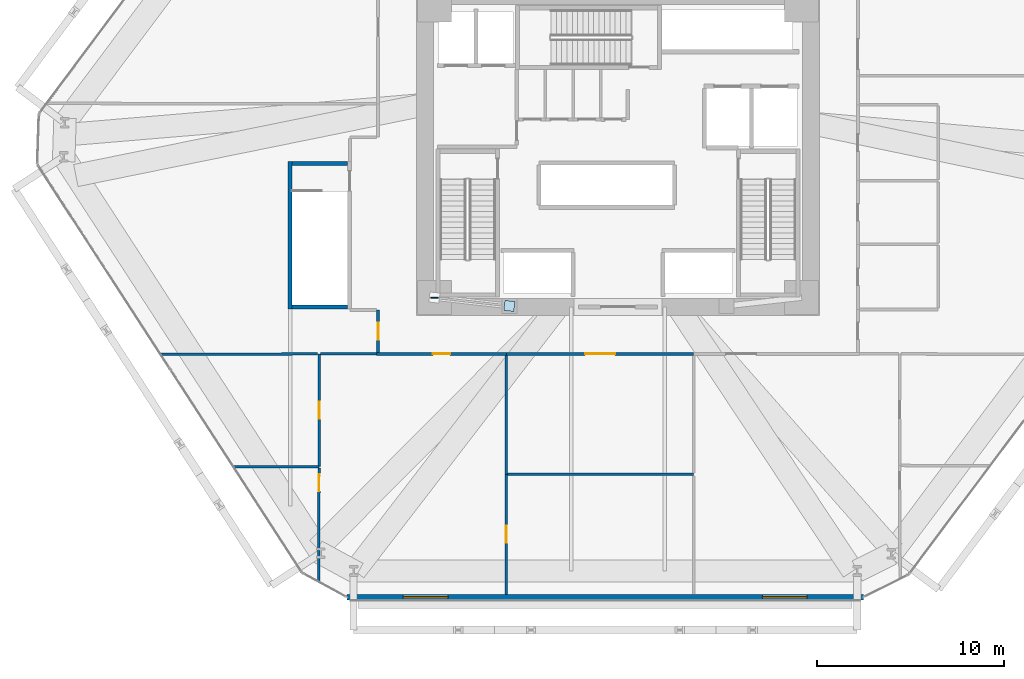
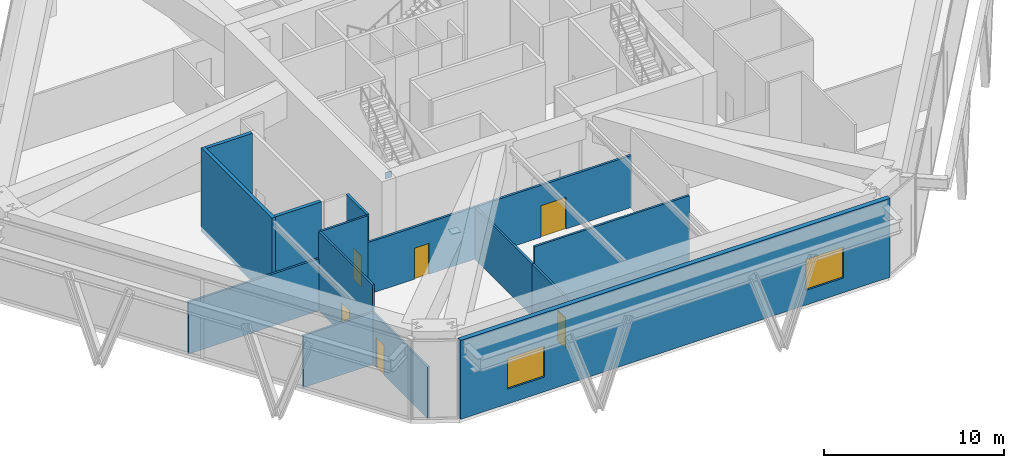
# One storey, part 13 of 19: 15 walls, 6 doors, 2 plates, 2 windows, 8 openings.
"""IFC4 building model written with IfcOpenShell, lengths in metres."""

from ifc_helpers import new_model, si_unit, direction, frame, frame_2d, origin, origin_2d, place, context, subcontext, project, spatial, rectangle, extrude, source, transform, mapped, material, layer, layer_set, type_object, type_shapes, element, fill, save


model = new_model("IFC4")

# Units and contexts
model_context = context("Model", 3, precision=1e-05, world=origin(), true_north=direction((0.0, 1.0)))
body_context = subcontext(model_context, "Body", "Model", "MODEL_VIEW")
ifc_project = project(units=[si_unit("LENGTHUNIT", "METRE"), si_unit("AREAUNIT", "SQUARE_METRE"), si_unit("VOLUMEUNIT", "CUBIC_METRE"), si_unit("PLANEANGLEUNIT", "RADIAN"), si_unit("MASSUNIT", "GRAM", prefix="KILO")], contexts=[model_context])

# Site, building, storey
site_placement = place(None, origin())
site = spatial("IfcSite", under=ifc_project, at=site_placement, CompositionType="ELEMENT")
building_placement = place(site_placement, origin())
building = spatial("IfcBuilding", under=site, at=building_placement, Name="Durnholm Broadcast Tower", CompositionType="ELEMENT")
storey_placement = place(building_placement, frame((0.0, 0.0, 26.800048828125)))
storey = spatial("IfcBuildingStorey", under=building, at=storey_placement, Name="L05", CompositionType="ELEMENT", Elevation=26.800048828125)

# Plates
ifc_material_1 = material(Name="Steel ASTM A572 Grade 50", Category="steel")
ifc_layer_1 = layer(ifc_material_1, 0.044921875)
ifc_layer_set_1 = layer_set([ifc_layer_1], Name="Steel ASTM A572 Grade 50")
plate_type_1 = type_object("IfcPlateType", Name="PLT-KN-STIF", PredefinedType="SHEET", material=ifc_layer_set_1)
shared_shape_1 = source(origin(), body_context, "Body", "SweptSolid", [
    extrude(rectangle(XDim=0.419921875, YDim=0.050048828125, at=origin_2d()), origin(), (0.0, 0.0, 1.0), 0.419921875),
])
type_shapes(plate_type_1, [shared_shape_1])
plate_1_placement = place(storey_placement, frame((-9.800048828125, -7.800048828125, 4.981201171875), z_axis=(0.0, 0.0, 1.0), x_axis=(1.0, 0.0, 0.0)))
element("IfcPlate", 1, at=plate_1_placement, inside=storey, type_object=plate_type_1, Name="L05 gallery stringer brace core wall cast-in plate", ObjectType="GUSSET_PLATE", PredefinedType="USERDEFINED", context=body_context, shape_type="MappedRepresentation", body=[
    mapped(shared_shape_1, transform((0.0, 0.0, 0.0), x_axis=(1.0, 0.0, 0.0), y_axis=(0.0, 1.0, 0.0), z_axis=(0.0, 0.0, 1.0), scale=1.0)),
])
ifc_layer_2 = layer(ifc_material_1, 0.0400390625)
ifc_layer_set_2 = layer_set([ifc_layer_2], Name="Steel ASTM A572 Grade 50")
plate_type_2 = type_object("IfcPlateType", Name="PLT-KN-CAP", PredefinedType="USERDEFINED", material=ifc_layer_set_2)
shared_shape_2 = source(origin(), body_context, "Body", "SweptSolid", [
    extrude(rectangle(XDim=0.5400390625, YDim=0.5400390625, at=origin_2d()), origin(), (0.0, 0.0, 1.0), 0.0400390625),
])
type_shapes(plate_type_2, [shared_shape_2])
plate_2_placement = place(storey_placement, frame((-5.800048828125, -8.25, 0.22998046875), z_axis=(0.0, 0.0, 1.0), x_axis=(-0.99372894862, 0.111815815852, 0.0)))
element("IfcPlate", 2, at=plate_2_placement, inside=storey, type_object=plate_type_2, Name="L05 hollow section end cap plate STL-STG-L05-1 1", ObjectType="CAP_PLATE", PredefinedType="USERDEFINED", context=body_context, shape_type="MappedRepresentation", body=[
    mapped(shared_shape_2, transform((0.0, 0.0, 0.0), x_axis=(1.0, 0.0, 0.0), y_axis=(0.0, 1.0, 0.0), z_axis=(0.0, 0.0, 1.0), scale=1.0)),
])

# Wall, openings, windows
ifc_material_2 = material(Name="Precast Concrete C45/55", Category="concrete")
ifc_layer_3 = layer(ifc_material_2, 0.300048828125)
ifc_layer_set_3 = layer_set([ifc_layer_3], Name="Precast Concrete C45/55")
wall_type_1 = type_object("IfcWallType", Name="WALL-EXT-300", PredefinedType="SOLIDWALL", material=ifc_layer_set_3)
wall_1_placement = place(storey_placement, frame((13.102783203125, -23.800048828125, 0.0), z_axis=(0.0, 0.0, 1.0), x_axis=(-1.0, 0.0, 0.0)))
wall_1 = element("IfcWall", 3, at=wall_1_placement, inside=storey, type_object=wall_type_1, Name="L05 broadcast studio acoustic facade wall 10", PredefinedType="SOLIDWALL", context=body_context, shape_type="SweptSolid", body=[
    extrude(rectangle(XDim=27.577880859375, YDim=0.300048828125, at=frame_2d((13.7890625, 0.0))), origin(), (0.0, 0.0, 1.0), 5.35986328125),
])
opening_1_placement = place(wall_1_placement, frame((3.0, 0.0, 1.0)))
opening_1 = element("IfcOpeningElement", 4, at=opening_1_placement, cuts=wall_1, Name="Opening W1", PredefinedType="OPENING", context=body_context, shape_type="SweptSolid", body=[
    extrude(rectangle(XDim=2.39990234375, YDim=2.10009765625, at=frame_2d((1.199951171875, 1.050048828125))), frame((0.0, 0.16015625, 0.0), z_axis=(0.0, -1.0, 0.0), x_axis=(1.0, 0.0, 0.0)), (0.0, 0.0, 1.0), 0.320068359375),
])
opening_2_placement = place(wall_1_placement, frame((22.177978515625, 0.0, 1.0)))
opening_2 = element("IfcOpeningElement", 5, at=opening_2_placement, cuts=wall_1, Name="Opening W1", PredefinedType="OPENING", context=body_context, shape_type="SweptSolid", body=[
    extrude(rectangle(XDim=2.39990234375, YDim=2.10009765625, at=frame_2d((1.199951171875, 1.050048828125))), frame((0.0, 0.16015625, 0.0), z_axis=(0.0, -1.0, 0.0), x_axis=(1.0, 0.0, 0.0)), (0.0, 0.0, 1.0), 0.320068359375),
])
ifc_material_3 = material(Name="Thermally Broken Aluminium and Laminated Glass", Category="aluminium")
ifc_layer_4 = layer(ifc_material_3, 0.06005859375)
ifc_layer_set_4 = layer_set([ifc_layer_4], Name="Thermally Broken Aluminium and Laminated Glass")
window_type = type_object("IfcWindowType", Name="WIN-W1", PartitioningType="SINGLE_PANEL", PredefinedType="WINDOW", material=ifc_layer_set_4)
shared_shape_3 = source(origin(), body_context, "Body", "SweptSolid", [
    extrude(rectangle(XDim=2.39990234375, YDim=2.10009765625, at=frame_2d((1.199951171875, 1.050048828125))), frame((0.0, 0.030029296875, 0.0), z_axis=(0.0, -1.0, 0.0), x_axis=(1.0, 0.0, 0.0)), (0.0, 0.0, 1.0), 0.06005859375),
])
type_shapes(window_type, [shared_shape_3])
window_1_placement = place(opening_1_placement, origin())
window_1 = element("IfcWindow", 6, at=window_1_placement, inside=storey, type_object=window_type, Name="L05 studio acoustic window 10.1", OverallHeight=2.10009765625, OverallWidth=2.39990234375, PartitioningType="SINGLE_PANEL", PredefinedType="WINDOW", context=body_context, shape_type="MappedRepresentation", body=[
    mapped(shared_shape_3, transform((0.0, 0.0, 0.0), x_axis=(1.0, 0.0, 0.0), y_axis=(0.0, 1.0, 0.0), z_axis=(0.0, 0.0, 1.0), scale=1.0)),
])
fill(opening_1, window_1)
window_2_placement = place(opening_2_placement, origin())
window_2 = element("IfcWindow", 7, at=window_2_placement, inside=storey, type_object=window_type, Name="L05 studio acoustic window 10.2", OverallHeight=2.10009765625, OverallWidth=2.39990234375, PartitioningType="SINGLE_PANEL", PredefinedType="WINDOW", context=body_context, shape_type="MappedRepresentation", body=[
    mapped(shared_shape_3, transform((0.0, 0.0, 0.0), x_axis=(1.0, 0.0, 0.0), y_axis=(0.0, 1.0, 0.0), z_axis=(0.0, 0.0, 1.0), scale=1.0)),
])
fill(opening_2, window_2)

# Wall
ifc_material_4 = material(Name="Gypsum Metal Stud Partition", Category="concrete")
ifc_layer_5 = layer(ifc_material_4, 0.135009765625)
ifc_layer_set_5 = layer_set([ifc_layer_5], Name="Gypsum Metal Stud Partition")
wall_type_2 = type_object("IfcWallType", Name="WALL-PART-135", PredefinedType="PARTITIONING", material=ifc_layer_set_5)
wall_2_placement = place(storey_placement, frame((-20.520751953125, -16.8466796875, 0.0), z_axis=(0.0, 0.0, 1.0), x_axis=(0.999988651398, 0.004764144852, 0.0)))
element("IfcWall", 8, at=wall_2_placement, inside=storey, type_object=wall_type_2, Name="L05 room dividing partition 11.12", PredefinedType="PARTITIONING", context=body_context, shape_type="SweptSolid", body=[
    extrude(rectangle(XDim=4.560791015625, YDim=0.135009765625, at=frame_2d((2.2802734375, 0.0))), origin(), (0.0, 0.0, 1.0), 3.530029296875),
])

# Wall, opening, door
wall_3_placement = place(storey_placement, frame((-15.960205078125, -16.896484375, 0.0), z_axis=(0.0, 0.0, 1.0), x_axis=(-0.003088633483, -0.99999523016, 0.0)))
wall_3 = element("IfcWall", 9, at=wall_3_placement, inside=storey, type_object=wall_type_2, Name="L05 room dividing partition 11.13", PredefinedType="PARTITIONING", context=body_context, shape_type="SweptSolid", body=[
    extrude(rectangle(XDim=6.08642578125, YDim=0.135009765625, at=frame_2d((3.043212890625, 0.0))), origin(), (0.0, 0.0, 1.0), 3.530029296875),
])
opening_3_placement = place(wall_3_placement, frame((0.35009765625, 0.0, 0.0)))
opening_3 = element("IfcOpeningElement", 10, at=opening_3_placement, cuts=wall_3, Name="Opening DW-90L", PredefinedType="OPENING", context=body_context, shape_type="SweptSolid", body=[
    extrude(rectangle(XDim=0.89990234375, YDim=2.050048828125, at=frame_2d((0.449951171875, 1.02490234375))), frame((0.0, 0.07763671875, 0.0), z_axis=(0.0, -1.0, 0.0), x_axis=(1.0, 0.0, 0.0)), (0.0, 0.0, 1.0), 0.155029296875),
])
ifc_material_5 = material(Name="Laminate Restroom Door", Category="steel")
ifc_layer_6 = layer(ifc_material_5, 0.050048828125)
ifc_layer_set_6 = layer_set([ifc_layer_6], Name="Laminate Restroom Door")
door_type_1 = type_object("IfcDoorType", Name="DOOR-WC-900L", OperationType="NOTDEFINED", PredefinedType="DOOR", material=ifc_layer_set_6)
shared_shape_4 = source(origin(), body_context, "Body", "SweptSolid", [
    extrude(rectangle(XDim=0.89990234375, YDim=2.050048828125, at=frame_2d((0.449951171875, 1.02490234375))), frame((0.0, 0.02490234375, 0.0), z_axis=(0.0, -1.0, 0.0), x_axis=(1.0, 0.0, 0.0)), (0.0, 0.0, 1.0), 0.050048828125),
])
type_shapes(door_type_1, [shared_shape_4])
door_1_placement = place(opening_3_placement, origin())
door_1 = element("IfcDoor", 11, at=door_1_placement, inside=storey, type_object=door_type_1, Name="L05 Hospitality Dining Room connecting door", OperationType="SINGLE_SWING_LEFT", OverallHeight=2.050048828125, OverallWidth=0.89990234375, PredefinedType="DOOR", context=body_context, shape_type="MappedRepresentation", body=[
    mapped(shared_shape_4, transform((0.0, 0.0, 0.0), x_axis=(1.0, 0.0, 0.0), y_axis=(0.0, 1.0, 0.0), z_axis=(0.0, 0.0, 1.0), scale=1.0)),
])
fill(opening_3, door_1)

wall_4_placement = place(storey_placement, frame((-15.9599609375, -10.81005859375, 0.0), z_axis=(0.0, 0.0, 1.0), x_axis=(0.0, -1.0, 0.0)))
wall_4 = element("IfcWall", 12, at=wall_4_placement, inside=storey, type_object=wall_type_2, Name="L05 room dividing partition 12.13", PredefinedType="PARTITIONING", context=body_context, shape_type="SweptSolid", body=[
    extrude(rectangle(XDim=6.014892578125, YDim=0.135009765625, at=frame_2d((3.00732421875, 0.0))), origin(), (0.0, 0.0, 1.0), 5.344970703125),
])
opening_4_placement = place(wall_4_placement, frame((2.5576171875, 0.0, 0.0)))
opening_4 = element("IfcOpeningElement", 13, at=opening_4_placement, cuts=wall_4, Name="Opening DW-90L", PredefinedType="OPENING", context=body_context, shape_type="SweptSolid", body=[
    extrude(rectangle(XDim=0.89990234375, YDim=2.050048828125, at=frame_2d((0.449951171875, 1.02490234375))), frame((0.0, 0.07763671875, 0.0), z_axis=(0.0, -1.0, 0.0), x_axis=(1.0, 0.0, 0.0)), (0.0, 0.0, 1.0), 0.155029296875),
])
door_2_placement = place(opening_4_placement, origin())
door_2 = element("IfcDoor", 14, at=door_2_placement, inside=storey, type_object=door_type_1, Name="L05 Catering Prep Kitchen connecting door", OperationType="SINGLE_SWING_LEFT", OverallHeight=2.050048828125, OverallWidth=0.89990234375, PredefinedType="DOOR", context=body_context, shape_type="MappedRepresentation", body=[
    mapped(shared_shape_4, transform((0.0, 0.0, 0.0), x_axis=(1.0, 0.0, 0.0), y_axis=(0.0, 1.0, 0.0), z_axis=(0.0, 0.0, 1.0), scale=1.0)),
])
fill(opening_4, door_2)

# Wall
wall_5_placement = place(storey_placement, frame((-24.421630859375, -10.831787109375, 0.0), z_axis=(0.0, 0.0, 1.0), x_axis=(0.9999967215, 0.002560662035, 0.0)))
element("IfcWall", 15, at=wall_5_placement, inside=storey, type_object=wall_type_2, Name="L05 room dividing partition 12.19", PredefinedType="PARTITIONING", context=body_context, shape_type="SweptSolid", body=[
    extrude(rectangle(XDim=8.39013671875, YDim=0.135009765625, at=frame_2d((4.195068359375, 0.0))), origin(), (0.0, 0.0, 1.0), 3.530029296875),
])

# Wall, opening, door
wall_6_placement = place(storey_placement, frame((-5.9599609375, -17.2451171875, 0.0), z_axis=(0.0, 0.0, 1.0), x_axis=(0.0, -1.0, 0.0)))
wall_6 = element("IfcWall", 16, at=wall_6_placement, inside=storey, type_object=wall_type_2, Name="L05 room dividing partition 13.14", PredefinedType="PARTITIONING", context=body_context, shape_type="SweptSolid", body=[
    extrude(rectangle(XDim=6.39990234375, YDim=0.135009765625, at=frame_2d((3.199951171875, 0.0))), origin(), (0.0, 0.0, 1.0), 3.530029296875),
])
opening_5_placement = place(wall_6_placement, frame((2.75, 0.0, 0.0)))
opening_5 = element("IfcOpeningElement", 17, at=opening_5_placement, cuts=wall_6, Name="Opening DW-90L", PredefinedType="OPENING", context=body_context, shape_type="SweptSolid", body=[
    extrude(rectangle(XDim=0.89990234375, YDim=2.050048828125, at=frame_2d((0.449951171875, 1.02490234375))), frame((0.0, 0.07763671875, 0.0), z_axis=(0.0, -1.0, 0.0), x_axis=(1.0, 0.0, 0.0)), (0.0, 0.0, 1.0), 0.155029296875),
])
door_3_placement = place(opening_5_placement, origin())
door_3 = element("IfcDoor", 18, at=door_3_placement, inside=storey, type_object=door_type_1, Name="L05 Acoustic Archive Store connecting door", OperationType="SINGLE_SWING_LEFT", OverallHeight=2.050048828125, OverallWidth=0.89990234375, PredefinedType="DOOR", context=body_context, shape_type="MappedRepresentation", body=[
    mapped(shared_shape_4, transform((0.0, 0.0, 0.0), x_axis=(1.0, 0.0, 0.0), y_axis=(0.0, 1.0, 0.0), z_axis=(0.0, 0.0, 1.0), scale=1.0)),
])
fill(opening_5, door_3)

# Walls
wall_7_placement = place(storey_placement, frame((-5.9599609375, -10.888916015625, 0.0), z_axis=(0.0, 0.0, 1.0), x_axis=(0.0, -1.0, 0.0)))
element("IfcWall", 19, at=wall_7_placement, inside=storey, type_object=wall_type_2, Name="L05 room dividing partition 13.15", PredefinedType="PARTITIONING", context=body_context, shape_type="SweptSolid", body=[
    extrude(rectangle(XDim=6.356201171875, YDim=0.135009765625, at=frame_2d((3.17822265625, 0.0))), origin(), (0.0, 0.0, 1.0), 3.530029296875),
])
wall_8_placement = place(storey_placement, frame((-15.888427734375, -10.81005859375, 0.0), z_axis=(0.0, 0.0, 1.0), x_axis=(1.0, 0.0, 0.0)))
element("IfcWall", 20, at=wall_8_placement, inside=storey, type_object=wall_type_2, Name="L05 room dividing partition 13.19", PredefinedType="PARTITIONING", context=body_context, shape_type="SweptSolid", body=[
    extrude(rectangle(XDim=2.99853515625, YDim=0.135009765625, at=frame_2d((1.499267578125, 0.0))), origin(), (0.0, 0.0, 1.0), 5.344970703125),
])
wall_9_placement = place(storey_placement, frame((-5.888427734375, -17.2451171875, 0.0), z_axis=(0.0, 0.0, 1.0), x_axis=(1.0, 0.0, 0.0)))
element("IfcWall", 21, at=wall_9_placement, inside=storey, type_object=wall_type_2, Name="L05 room dividing partition 14.15", PredefinedType="PARTITIONING", context=body_context, shape_type="SweptSolid", body=[
    extrude(rectangle(XDim=9.928466796875, YDim=0.135009765625, at=frame_2d((4.96435546875, 0.0))), origin(), (0.0, 0.0, 1.0), 4.692626953125),
])

# Wall, opening, door
ifc_material_6 = material(Name="Acoustic Gypsum Stud Partition", Category="concrete")
ifc_layer_7 = layer(ifc_material_6, 0.14990234375)
ifc_layer_set_7 = layer_set([ifc_layer_7], Name="Acoustic Gypsum Stud Partition")
wall_type_3 = type_object("IfcWallType", Name="WALL-PART-150", PredefinedType="PARTITIONING", material=ifc_layer_set_7)
wall_10_placement = place(storey_placement, frame((-12.889892578125, -10.81005859375, 0.0), z_axis=(0.0, 0.0, 1.0), x_axis=(1.0, 0.0, 0.0)))
wall_10 = element("IfcWall", 22, at=wall_10_placement, inside=storey, type_object=wall_type_3, Name="L05 Stage Manager Office corridor partition", PredefinedType="PARTITIONING", context=body_context, shape_type="SweptSolid", body=[
    extrude(rectangle(XDim=6.929931640625, YDim=0.14990234375, at=frame_2d((3.46484375, 0.0))), origin(), (0.0, 0.0, 1.0), 3.530029296875),
])
opening_6_placement = place(wall_10_placement, frame((3.0048828125, 0.0, 0.0)))
opening_6 = element("IfcOpeningElement", 23, at=opening_6_placement, cuts=wall_10, Name="Opening DR-92L", PredefinedType="OPENING", context=body_context, shape_type="SweptSolid", body=[
    extrude(rectangle(XDim=0.919921875, YDim=2.10009765625, at=frame_2d((0.4599609375, 1.050048828125))), frame((0.0, 0.0849609375, 0.0), z_axis=(0.0, -1.0, 0.0), x_axis=(1.0, 0.0, 0.0)), (0.0, 0.0, 1.0), 0.169921875),
])
ifc_material_7 = material(Name="Oak Veneer Office Door", Category="wood")
ifc_layer_8 = layer(ifc_material_7, 0.050048828125)
ifc_layer_set_8 = layer_set([ifc_layer_8], Name="Oak Veneer Office Door")
door_type_2 = type_object("IfcDoorType", Name="DOOR-RM-920L", OperationType="NOTDEFINED", PredefinedType="DOOR", material=ifc_layer_set_8)
shared_shape_5 = source(origin(), body_context, "Body", "SweptSolid", [
    extrude(rectangle(XDim=0.919921875, YDim=2.10009765625, at=frame_2d((0.4599609375, 1.050048828125))), frame((0.0, 0.02490234375, 0.0), z_axis=(0.0, -1.0, 0.0), x_axis=(1.0, 0.0, 0.0)), (0.0, 0.0, 1.0), 0.050048828125),
])
type_shapes(door_type_2, [shared_shape_5])
door_4_placement = place(opening_6_placement, origin())
door_4 = element("IfcDoor", 24, at=door_4_placement, inside=storey, type_object=door_type_2, Name="L05 Stage Manager Office entrance door", OperationType="SINGLE_SWING_LEFT", OverallHeight=2.10009765625, OverallWidth=0.919921875, PredefinedType="DOOR", context=body_context, shape_type="MappedRepresentation", body=[
    mapped(shared_shape_5, transform((0.0, 0.0, 0.0), x_axis=(1.0, 0.0, 0.0), y_axis=(0.0, 1.0, 0.0), z_axis=(0.0, 0.0, 1.0), scale=1.0)),
])
fill(opening_6, door_4)

wall_11_placement = place(storey_placement, frame((-5.9599609375, -10.81005859375, 0.0), z_axis=(0.0, 0.0, 1.0), x_axis=(1.0, 0.0, 0.0)))
wall_11 = element("IfcWall", 25, at=wall_11_placement, inside=storey, type_object=wall_type_3, Name="L05 Press Screening Auditorium corridor partition", PredefinedType="PARTITIONING", context=body_context, shape_type="SweptSolid", body=[
    extrude(rectangle(XDim=10.0, YDim=0.14990234375, at=frame_2d((5.0, 0.0))), origin(), (0.0, 0.0, 1.0), 3.530029296875),
])
opening_7_placement = place(wall_11_placement, frame((4.199951171875, 0.0, 0.0)))
opening_7 = element("IfcOpeningElement", 26, at=opening_7_placement, cuts=wall_11, Name="Opening DST-160", PredefinedType="OPENING", context=body_context, shape_type="SweptSolid", body=[
    extrude(rectangle(XDim=1.60009765625, YDim=2.14990234375, at=frame_2d((0.800048828125, 1.074951171875))), frame((0.0, 0.0849609375, 0.0), z_axis=(0.0, -1.0, 0.0), x_axis=(1.0, 0.0, 0.0)), (0.0, 0.0, 1.0), 0.169921875),
])
ifc_material_8 = material(Name="Acoustic Broadcast Studio Sound-Lock Door", Category="steel")
ifc_layer_9 = layer(ifc_material_8, 0.050048828125)
ifc_layer_set_9 = layer_set([ifc_layer_9], Name="Acoustic Broadcast Studio Sound-Lock Door")
door_type_3 = type_object("IfcDoorType", Name="DOOR-STU-1600", OperationType="DOUBLE_DOOR_SINGLE_SWING", PredefinedType="DOOR", material=ifc_layer_set_9)
shared_shape_6 = source(origin(), body_context, "Body", "SweptSolid", [
    extrude(rectangle(XDim=1.60009765625, YDim=2.14990234375, at=frame_2d((0.800048828125, 1.074951171875))), frame((0.0, 0.02490234375, 0.0), z_axis=(0.0, -1.0, 0.0), x_axis=(1.0, 0.0, 0.0)), (0.0, 0.0, 1.0), 0.050048828125),
])
type_shapes(door_type_3, [shared_shape_6])
door_5_placement = place(opening_7_placement, origin())
door_5 = element("IfcDoor", 27, at=door_5_placement, inside=storey, type_object=door_type_3, Name="L05 Press Screening Auditorium entrance door", OperationType="DOUBLE_DOOR_SINGLE_SWING", OverallHeight=2.14990234375, OverallWidth=1.60009765625, PredefinedType="DOOR", context=body_context, shape_type="MappedRepresentation", body=[
    mapped(shared_shape_6, transform((0.0, 0.0, 0.0), x_axis=(1.0, 0.0, 0.0), y_axis=(0.0, 1.0, 0.0), z_axis=(0.0, 0.0, 1.0), scale=1.0)),
])
fill(opening_7, door_5)

wall_12_placement = place(storey_placement, frame((-12.81005859375, -8.4599609375, 0.0), z_axis=(0.0, 0.0, 1.0), x_axis=(0.0, -1.0, 0.0)))
wall_12 = element("IfcWall", 28, at=wall_12_placement, inside=storey, type_object=wall_type_3, Name="L05 Catering Prep Kitchen corridor partition", PredefinedType="PARTITIONING", context=body_context, shape_type="SweptSolid", body=[
    extrude(rectangle(XDim=2.27099609375, YDim=0.14990234375, at=frame_2d((1.135498046875, 0.0))), origin(), (0.0, 0.0, 1.0), 5.344970703125),
])
opening_8_placement = place(wall_12_placement, frame((0.675537109375, 0.0, 0.0)))
opening_8 = element("IfcOpeningElement", 29, at=opening_8_placement, cuts=wall_12, Name="Opening DR-92R", PredefinedType="OPENING", context=body_context, shape_type="SweptSolid", body=[
    extrude(rectangle(XDim=0.919921875, YDim=2.10009765625, at=frame_2d((0.4599609375, 1.050048828125))), frame((0.0, 0.0849609375, 0.0), z_axis=(0.0, -1.0, 0.0), x_axis=(1.0, 0.0, 0.0)), (0.0, 0.0, 1.0), 0.169921875),
])
ifc_layer_10 = layer(ifc_material_7, 0.050048828125)
ifc_layer_set_10 = layer_set([ifc_layer_10], Name="Oak Veneer Office Door")
door_type_4 = type_object("IfcDoorType", Name="DOOR-RM-920R", OperationType="NOTDEFINED", PredefinedType="DOOR", material=ifc_layer_set_10)
shared_shape_7 = source(origin(), body_context, "Body", "SweptSolid", [
    extrude(rectangle(XDim=0.919921875, YDim=2.10009765625, at=frame_2d((0.4599609375, 1.050048828125))), frame((0.0, 0.02490234375, 0.0), z_axis=(0.0, -1.0, 0.0), x_axis=(1.0, 0.0, 0.0)), (0.0, 0.0, 1.0), 0.050048828125),
])
type_shapes(door_type_4, [shared_shape_7])
door_6_placement = place(opening_8_placement, origin())
door_6 = element("IfcDoor", 30, at=door_6_placement, inside=storey, type_object=door_type_4, Name="L05 Catering Prep Kitchen entrance door", OperationType="SINGLE_SWING_RIGHT", OverallHeight=2.10009765625, OverallWidth=0.919921875, PredefinedType="DOOR", context=body_context, shape_type="MappedRepresentation", body=[
    mapped(shared_shape_7, transform((0.0, 0.0, 0.0), x_axis=(1.0, 0.0, 0.0), y_axis=(0.0, 1.0, 0.0), z_axis=(0.0, 0.0, 1.0), scale=1.0)),
])
fill(opening_8, door_6)

# Walls
ifc_material_9 = material(Name="Concrete C50/60", Category="concrete")
ifc_layer_11 = layer(ifc_material_9, 0.219970703125)
ifc_layer_set_11 = layer_set([ifc_layer_11], Name="Concrete C50/60")
wall_type_4 = type_object("IfcWallType", Name="WALL-SW-220", PredefinedType="SHEAR", material=ifc_layer_set_11)
wall_13_placement = place(storey_placement, frame((-17.510009765625, -0.530029296875, -0.320068359375), z_axis=(0.0, 0.0, 1.0), x_axis=(0.0, -1.0, 0.0)))
element("IfcWall", 31, at=wall_13_placement, inside=storey, type_object=wall_type_4, Name="L05 stair ST-4 structural shaft wall W", PredefinedType="SHEAR", context=body_context, shape_type="SweptSolid", body=[
    extrude(rectangle(XDim=7.889892578125, YDim=0.219970703125, at=frame_2d((3.94482421875, 0.0))), origin(), (0.0, 0.0, 1.0), 5.679931640625),
])
for number, where, z_axis, x_axis, name in (
    (32, (-17.39990234375, -8.31005859375, -0.320068359375), (0.0, 0.0, 1.0), (1.0, 0.0, 0.0), "L05 stair ST-4 structural shaft wall S"),
    (33, (-14.43994140625, -0.639892578125, -0.320068359375), (0.0, 0.0, 1.0), (-1.0, 0.0, 0.0), "L05 stair ST-4 structural shaft wall N"),
):
    element("IfcWall", number, at=place(storey_placement, frame(where, z_axis=z_axis, x_axis=x_axis)), inside=storey, type_object=wall_type_4, Name=name, PredefinedType="SHEAR", context=body_context, shape_type="SweptSolid", body=[
        extrude(rectangle(XDim=2.9599609375, YDim=0.219970703125, at=frame_2d((1.47998046875, 0.0))), origin(), (0.0, 0.0, 1.0), 5.679931640625),
    ])

save(model, "model.ifc")
